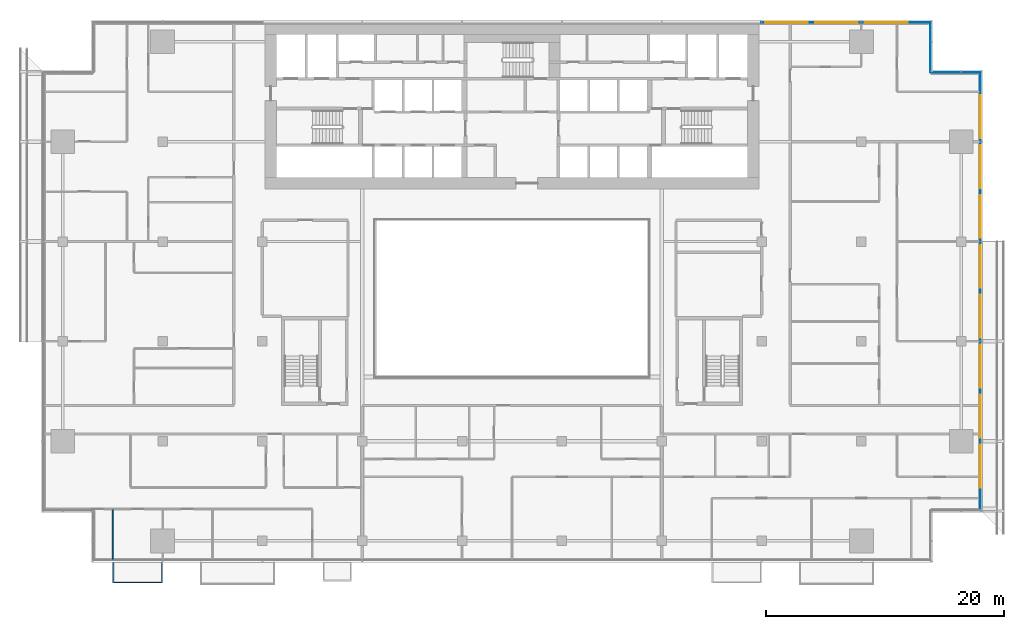
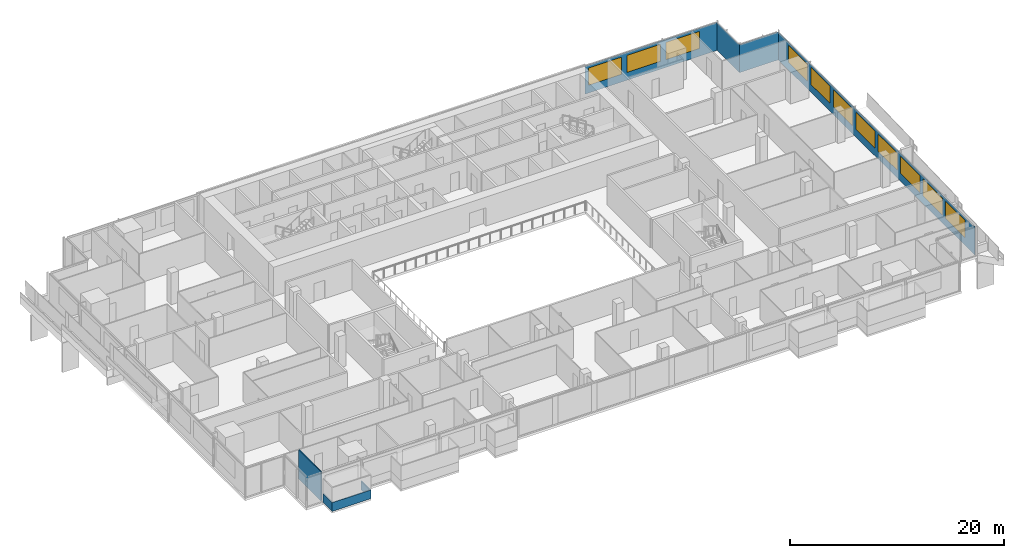
# One storey, part 17 of 27: 11 windows, 4 plates, 2 walls, 11 openings, 4 elements without a shape of their own.
"""IFC4 building model written with IfcOpenShell, lengths in metres."""

from ifc_helpers import new_model, si_unit, direction, frame, frame_2d, origin, place, context, subcontext, project, spatial, polyline, rectangle, outline, extrude, material, layer, layer_set, type_object, element, fill, aggregate, save


model = new_model("IFC4")

# Units and contexts
model_context = context("Model", 3, precision=1e-05, world=origin(), true_north=direction((0.0, 1.0)))
body_context = subcontext(model_context, "Body", "Model", "MODEL_VIEW")
ifc_project = project(units=[si_unit("LENGTHUNIT", "METRE"), si_unit("AREAUNIT", "SQUARE_METRE"), si_unit("VOLUMEUNIT", "CUBIC_METRE"), si_unit("PLANEANGLEUNIT", "RADIAN"), si_unit("MASSUNIT", "GRAM", prefix="KILO")], contexts=[model_context])

# Site, building, storey
site_placement = place(None, origin())
site = spatial("IfcSite", under=ifc_project, at=site_placement, CompositionType="ELEMENT")
building_placement = place(site_placement, origin())
building = spatial("IfcBuilding", under=site, at=building_placement, Name="Saffron Gate Tower", CompositionType="ELEMENT")
storey_placement = place(building_placement, frame((0.0, 0.0, 109.64990234375)))
storey = spatial("IfcBuildingStorey", under=building, at=storey_placement, Name="L25", CompositionType="ELEMENT", Elevation=109.64990234375)

# Curtain wall, plate, openings, windows
ifc_material_1 = material(Name="Aluminium, bronze anodised", Category="aluminium")
curtain_wall_type_1 = type_object("IfcCurtainWallType", Name="CWS2 curtain wall side facades", PredefinedType="NOTDEFINED", material=ifc_material_1)
curtain_wall_1_placement = place(storey_placement, origin())
curtain_wall_1 = element("IfcCurtainWall", 1, at=curtain_wall_1_placement, inside=storey, type_object=curtain_wall_type_1, Name="CWS2 run 4", PredefinedType="NOTDEFINED")
ifc_material_2 = material(Name="Fritted bronze-tinted laminated glass", Category="glass")
ifc_layer_1 = layer(ifc_material_2, 0.028076171875)
ifc_layer_set_1 = layer_set([ifc_layer_1], Name="CWS2 fixed glass")
plate_type_1 = type_object("IfcPlateType", Name="CWS2 fixed glass", PredefinedType="CURTAIN_PANEL", material=ifc_layer_set_1)
plate_1_placement = place(storey_placement, frame((127.02587890625, 34.387939453125, 0.0), z_axis=(0.0, 0.0, 1.0), x_axis=(0.0, 1.0, 0.0)))
plate_1 = element("IfcPlate", 2, at=plate_1_placement, type_object=plate_type_1, Name="CWS2 glass panel", PredefinedType="CURTAIN_PANEL", context=body_context, shape_type="SweptSolid", body=[
    extrude(rectangle(XDim=36.823974609375, YDim=0.028076171875, at=frame_2d((18.412109375, 0.0))), origin(), (0.0, 0.0, 1.0), 3.2001953125),
])
opening_1_placement = place(plate_1_placement, frame((1.912109375, 0.0, 0.89990234375)))
opening_1 = element("IfcOpeningElement", 3, at=opening_1_placement, cuts=plate_1, Name="Opening W1", PredefinedType="OPENING", context=body_context, shape_type="SweptSolid", body=[
    extrude(rectangle(XDim=3.60009765625, YDim=1.949951171875, at=frame_2d((1.800048828125, 0.97509765625))), frame((0.0, 0.02392578125, 0.0), z_axis=(0.0, -1.0, 0.0), x_axis=(1.0, 0.0, 0.0)), (0.0, 0.0, 1.0), 0.048095703125),
])
opening_2_placement = place(plate_1_placement, frame((6.112060546875, 0.0, 0.89990234375)))
opening_2 = element("IfcOpeningElement", 4, at=opening_2_placement, cuts=plate_1, Name="Opening W1", PredefinedType="OPENING", context=body_context, shape_type="SweptSolid", body=[
    extrude(rectangle(XDim=3.60009765625, YDim=1.949951171875, at=frame_2d((1.800048828125, 0.97509765625))), frame((0.0, 0.02392578125, 0.0), z_axis=(0.0, -1.0, 0.0), x_axis=(1.0, 0.0, 0.0)), (0.0, 0.0, 1.0), 0.048095703125),
])
opening_3_placement = place(plate_1_placement, frame((10.31201171875, 0.0, 0.89990234375)))
opening_3 = element("IfcOpeningElement", 5, at=opening_3_placement, cuts=plate_1, Name="Opening W1", PredefinedType="OPENING", context=body_context, shape_type="SweptSolid", body=[
    extrude(rectangle(XDim=3.60009765625, YDim=1.949951171875, at=frame_2d((1.800048828125, 0.97509765625))), frame((0.0, 0.02392578125, 0.0), z_axis=(0.0, -1.0, 0.0), x_axis=(1.0, 0.0, 0.0)), (0.0, 0.0, 1.0), 0.048095703125),
])
opening_4_placement = place(plate_1_placement, frame((14.511962890625, 0.0, 0.89990234375)))
opening_4 = element("IfcOpeningElement", 6, at=opening_4_placement, cuts=plate_1, Name="Opening W1", PredefinedType="OPENING", context=body_context, shape_type="SweptSolid", body=[
    extrude(rectangle(XDim=3.60009765625, YDim=1.949951171875, at=frame_2d((1.800048828125, 0.97509765625))), frame((0.0, 0.02392578125, 0.0), z_axis=(0.0, -1.0, 0.0), x_axis=(1.0, 0.0, 0.0)), (0.0, 0.0, 1.0), 0.048095703125),
])
opening_5_placement = place(plate_1_placement, frame((18.7119140625, 0.0, 0.89990234375)))
opening_5 = element("IfcOpeningElement", 7, at=opening_5_placement, cuts=plate_1, Name="Opening W1", PredefinedType="OPENING", context=body_context, shape_type="SweptSolid", body=[
    extrude(rectangle(XDim=3.60009765625, YDim=1.949951171875, at=frame_2d((1.800048828125, 0.97509765625))), frame((0.0, 0.02392578125, 0.0), z_axis=(0.0, -1.0, 0.0), x_axis=(1.0, 0.0, 0.0)), (0.0, 0.0, 1.0), 0.048095703125),
])
opening_6_placement = place(plate_1_placement, frame((22.912109375, 0.0, 0.89990234375)))
opening_6 = element("IfcOpeningElement", 8, at=opening_6_placement, cuts=plate_1, Name="Opening W1", PredefinedType="OPENING", context=body_context, shape_type="SweptSolid", body=[
    extrude(rectangle(XDim=3.60009765625, YDim=1.949951171875, at=frame_2d((1.800048828125, 0.97509765625))), frame((0.0, 0.02392578125, 0.0), z_axis=(0.0, -1.0, 0.0), x_axis=(1.0, 0.0, 0.0)), (0.0, 0.0, 1.0), 0.048095703125),
])
opening_7_placement = place(plate_1_placement, frame((27.112060546875, 0.0, 0.89990234375)))
opening_7 = element("IfcOpeningElement", 9, at=opening_7_placement, cuts=plate_1, Name="Opening W1", PredefinedType="OPENING", context=body_context, shape_type="SweptSolid", body=[
    extrude(rectangle(XDim=3.60009765625, YDim=1.949951171875, at=frame_2d((1.800048828125, 0.97509765625))), frame((0.0, 0.02392578125, 0.0), z_axis=(0.0, -1.0, 0.0), x_axis=(1.0, 0.0, 0.0)), (0.0, 0.0, 1.0), 0.048095703125),
])
opening_8_placement = place(plate_1_placement, frame((31.31201171875, 0.0, 0.89990234375)))
opening_8 = element("IfcOpeningElement", 10, at=opening_8_placement, cuts=plate_1, Name="Opening W1", PredefinedType="OPENING", context=body_context, shape_type="SweptSolid", body=[
    extrude(rectangle(XDim=3.60009765625, YDim=1.949951171875, at=frame_2d((1.800048828125, 0.97509765625))), frame((0.0, 0.02392578125, 0.0), z_axis=(0.0, -1.0, 0.0), x_axis=(1.0, 0.0, 0.0)), (0.0, 0.0, 1.0), 0.048095703125),
])
ifc_material_3 = material(Name="Fritted bronze-tinted laminated glass in bronze frame", Category="glass")
ifc_layer_2 = layer(ifc_material_3, 0.06005859375)
ifc_layer_set_2 = layer_set([ifc_layer_2], Name="W1 operable panel 3600x1950")
window_type = type_object("IfcWindowType", Name="W1 operable panel 3600x1950", PartitioningType="DOUBLE_PANEL_HORIZONTAL", PredefinedType="WINDOW", material=ifc_layer_set_2)
window_1_placement = place(opening_1_placement, origin())
window_1 = element("IfcWindow", 11, at=window_1_placement, type_object=window_type, Name="W1 operable panel", OverallHeight=1.949951171875, OverallWidth=3.60009765625, PartitioningType="SINGLE_PANEL", PredefinedType="WINDOW", context=body_context, shape_type="SweptSolid", body=[
    extrude(rectangle(XDim=3.60009765625, YDim=1.949951171875, at=frame_2d((1.800048828125, 0.97509765625))), frame((0.0, 0.013671875, 0.0), z_axis=(0.0, -1.0, 0.0), x_axis=(1.0, 0.0, 0.0)), (0.0, 0.0, 1.0), 0.027587890625),
])
fill(opening_1, window_1)
window_2_placement = place(opening_2_placement, origin())
window_2 = element("IfcWindow", 12, at=window_2_placement, type_object=window_type, Name="W1 operable panel", OverallHeight=1.949951171875, OverallWidth=3.60009765625, PartitioningType="SINGLE_PANEL", PredefinedType="WINDOW", context=body_context, shape_type="SweptSolid", body=[
    extrude(rectangle(XDim=3.60009765625, YDim=1.949951171875, at=frame_2d((1.800048828125, 0.97509765625))), frame((0.0, 0.013671875, 0.0), z_axis=(0.0, -1.0, 0.0), x_axis=(1.0, 0.0, 0.0)), (0.0, 0.0, 1.0), 0.027587890625),
])
fill(opening_2, window_2)
window_3_placement = place(opening_3_placement, origin())
window_3 = element("IfcWindow", 13, at=window_3_placement, type_object=window_type, Name="W1 operable panel", OverallHeight=1.949951171875, OverallWidth=3.60009765625, PartitioningType="SINGLE_PANEL", PredefinedType="WINDOW", context=body_context, shape_type="SweptSolid", body=[
    extrude(rectangle(XDim=3.60009765625, YDim=1.949951171875, at=frame_2d((1.800048828125, 0.97509765625))), frame((0.0, 0.013671875, 0.0), z_axis=(0.0, -1.0, 0.0), x_axis=(1.0, 0.0, 0.0)), (0.0, 0.0, 1.0), 0.027587890625),
])
fill(opening_3, window_3)
window_4_placement = place(opening_4_placement, origin())
window_4 = element("IfcWindow", 14, at=window_4_placement, type_object=window_type, Name="W1 operable panel", OverallHeight=1.949951171875, OverallWidth=3.60009765625, PartitioningType="SINGLE_PANEL", PredefinedType="WINDOW", context=body_context, shape_type="SweptSolid", body=[
    extrude(rectangle(XDim=3.60009765625, YDim=1.949951171875, at=frame_2d((1.800048828125, 0.97509765625))), frame((0.0, 0.013671875, 0.0), z_axis=(0.0, -1.0, 0.0), x_axis=(1.0, 0.0, 0.0)), (0.0, 0.0, 1.0), 0.027587890625),
])
fill(opening_4, window_4)
window_5_placement = place(opening_5_placement, origin())
window_5 = element("IfcWindow", 15, at=window_5_placement, type_object=window_type, Name="W1 operable panel", OverallHeight=1.949951171875, OverallWidth=3.60009765625, PartitioningType="SINGLE_PANEL", PredefinedType="WINDOW", context=body_context, shape_type="SweptSolid", body=[
    extrude(rectangle(XDim=3.60009765625, YDim=1.949951171875, at=frame_2d((1.800048828125, 0.97509765625))), frame((0.0, 0.013671875, 0.0), z_axis=(0.0, -1.0, 0.0), x_axis=(1.0, 0.0, 0.0)), (0.0, 0.0, 1.0), 0.027587890625),
])
fill(opening_5, window_5)
window_6_placement = place(opening_6_placement, origin())
window_6 = element("IfcWindow", 16, at=window_6_placement, type_object=window_type, Name="W1 operable panel", OverallHeight=1.949951171875, OverallWidth=3.60009765625, PartitioningType="SINGLE_PANEL", PredefinedType="WINDOW", context=body_context, shape_type="SweptSolid", body=[
    extrude(rectangle(XDim=3.60009765625, YDim=1.949951171875, at=frame_2d((1.800048828125, 0.97509765625))), frame((0.0, 0.013671875, 0.0), z_axis=(0.0, -1.0, 0.0), x_axis=(1.0, 0.0, 0.0)), (0.0, 0.0, 1.0), 0.027587890625),
])
fill(opening_6, window_6)
window_7_placement = place(opening_7_placement, origin())
window_7 = element("IfcWindow", 17, at=window_7_placement, type_object=window_type, Name="W1 operable panel", OverallHeight=1.949951171875, OverallWidth=3.60009765625, PartitioningType="SINGLE_PANEL", PredefinedType="WINDOW", context=body_context, shape_type="SweptSolid", body=[
    extrude(rectangle(XDim=3.60009765625, YDim=1.949951171875, at=frame_2d((1.800048828125, 0.97509765625))), frame((0.0, 0.013671875, 0.0), z_axis=(0.0, -1.0, 0.0), x_axis=(1.0, 0.0, 0.0)), (0.0, 0.0, 1.0), 0.027587890625),
])
fill(opening_7, window_7)
window_8_placement = place(opening_8_placement, origin())
window_8 = element("IfcWindow", 18, at=window_8_placement, type_object=window_type, Name="W1 operable panel", OverallHeight=1.949951171875, OverallWidth=3.60009765625, PartitioningType="SINGLE_PANEL", PredefinedType="WINDOW", context=body_context, shape_type="SweptSolid", body=[
    extrude(rectangle(XDim=3.60009765625, YDim=1.949951171875, at=frame_2d((1.800048828125, 0.97509765625))), frame((0.0, 0.013671875, 0.0), z_axis=(0.0, -1.0, 0.0), x_axis=(1.0, 0.0, 0.0)), (0.0, 0.0, 1.0), 0.027587890625),
])
fill(opening_8, window_8)
aggregate(curtain_wall_1, [plate_1, window_1, window_2, window_3, window_4, window_5, window_6, window_7, window_8])

curtain_wall_type_2 = type_object("IfcCurtainWallType", Name="CWS3 curtain wall rear facade", PredefinedType="NOTDEFINED", material=ifc_material_1)
curtain_wall_2_placement = place(storey_placement, origin())
curtain_wall_2 = element("IfcCurtainWall", 19, at=curtain_wall_2_placement, inside=storey, type_object=curtain_wall_type_2, Name="CWS3 run 7", PredefinedType="NOTDEFINED")
ifc_material_4 = material(Name="Fritted grey-tinted laminated glass", Category="glass")
ifc_layer_3 = layer(ifc_material_4, 0.028076171875)
ifc_layer_set_3 = layer_set([ifc_layer_3], Name="CWS3 fixed glass")
plate_type_2 = type_object("IfcPlateType", Name="CWS3 fixed glass", PredefinedType="CURTAIN_PANEL", material=ifc_layer_set_3)
plate_2_placement = place(storey_placement, frame((122.81201171875, 75.426025390625, 0.0), z_axis=(0.0, 0.0, 1.0), x_axis=(-1.0, 0.0, 0.0)))
plate_2 = element("IfcPlate", 20, at=plate_2_placement, type_object=plate_type_2, Name="CWS3 glass panel", PredefinedType="CURTAIN_PANEL", context=body_context, shape_type="SweptSolid", body=[
    extrude(rectangle(XDim=14.2470703125, YDim=0.028076171875, at=frame_2d((7.12353515625, 0.0))), origin(), (0.0, 0.0, 1.0), 3.2001953125),
])
opening_9_placement = place(plate_2_placement, frame((1.912109375, 0.0, 0.89990234375)))
opening_9 = element("IfcOpeningElement", 21, at=opening_9_placement, cuts=plate_2, Name="Opening W1", PredefinedType="OPENING", context=body_context, shape_type="SweptSolid", body=[
    extrude(rectangle(XDim=3.60009765625, YDim=1.949951171875, at=frame_2d((1.800048828125, 0.97509765625))), frame((0.0, 0.02392578125, 0.0), z_axis=(0.0, -1.0, 0.0), x_axis=(1.0, 0.0, 0.0)), (0.0, 0.0, 1.0), 0.048095703125),
])
opening_10_placement = place(plate_2_placement, frame((6.112060546875, 0.0, 0.89990234375)))
opening_10 = element("IfcOpeningElement", 22, at=opening_10_placement, cuts=plate_2, Name="Opening W1", PredefinedType="OPENING", context=body_context, shape_type="SweptSolid", body=[
    extrude(rectangle(XDim=3.60009765625, YDim=1.949951171875, at=frame_2d((1.800048828125, 0.97509765625))), frame((0.0, 0.02392578125, 0.0), z_axis=(0.0, -1.0, 0.0), x_axis=(1.0, 0.0, 0.0)), (0.0, 0.0, 1.0), 0.048095703125),
])
opening_11_placement = place(plate_2_placement, frame((10.31201171875, 0.0, 0.89990234375)))
opening_11 = element("IfcOpeningElement", 23, at=opening_11_placement, cuts=plate_2, Name="Opening W1", PredefinedType="OPENING", context=body_context, shape_type="SweptSolid", body=[
    extrude(rectangle(XDim=3.60009765625, YDim=1.949951171875, at=frame_2d((1.800048828125, 0.97509765625))), frame((0.0, 0.02392578125, 0.0), z_axis=(0.0, -1.0, 0.0), x_axis=(1.0, 0.0, 0.0)), (0.0, 0.0, 1.0), 0.048095703125),
])
window_9_placement = place(opening_9_placement, origin())
window_9 = element("IfcWindow", 24, at=window_9_placement, type_object=window_type, Name="W1 operable panel", OverallHeight=1.949951171875, OverallWidth=3.60009765625, PartitioningType="SINGLE_PANEL", PredefinedType="WINDOW", context=body_context, shape_type="SweptSolid", body=[
    extrude(rectangle(XDim=3.60009765625, YDim=1.949951171875, at=frame_2d((1.800048828125, 0.97509765625))), frame((0.0, 0.013671875, 0.0), z_axis=(0.0, -1.0, 0.0), x_axis=(1.0, 0.0, 0.0)), (0.0, 0.0, 1.0), 0.027587890625),
])
fill(opening_9, window_9)
window_10_placement = place(opening_10_placement, origin())
window_10 = element("IfcWindow", 25, at=window_10_placement, type_object=window_type, Name="W1 operable panel", OverallHeight=1.949951171875, OverallWidth=3.60009765625, PartitioningType="SINGLE_PANEL", PredefinedType="WINDOW", context=body_context, shape_type="SweptSolid", body=[
    extrude(rectangle(XDim=3.60009765625, YDim=1.949951171875, at=frame_2d((1.800048828125, 0.97509765625))), frame((0.0, 0.013671875, 0.0), z_axis=(0.0, -1.0, 0.0), x_axis=(1.0, 0.0, 0.0)), (0.0, 0.0, 1.0), 0.027587890625),
])
fill(opening_10, window_10)
window_11_placement = place(opening_11_placement, origin())
window_11 = element("IfcWindow", 26, at=window_11_placement, type_object=window_type, Name="W1 operable panel", OverallHeight=1.949951171875, OverallWidth=3.60009765625, PartitioningType="SINGLE_PANEL", PredefinedType="WINDOW", context=body_context, shape_type="SweptSolid", body=[
    extrude(rectangle(XDim=3.60009765625, YDim=1.949951171875, at=frame_2d((1.800048828125, 0.97509765625))), frame((0.0, 0.013671875, 0.0), z_axis=(0.0, -1.0, 0.0), x_axis=(1.0, 0.0, 0.0)), (0.0, 0.0, 1.0), 0.027587890625),
])
fill(opening_11, window_11)
aggregate(curtain_wall_2, [plate_2, window_9, window_10, window_11])

# Curtain wall, plate
curtain_wall_type_3 = type_object("IfcCurtainWallType", Name="CWS4 curtain wall corner returns", PredefinedType="NOTDEFINED", material=ifc_material_1)
curtain_wall_3_placement = place(storey_placement, origin())
curtain_wall_3 = element("IfcCurtainWall", 27, at=curtain_wall_3_placement, inside=storey, type_object=curtain_wall_type_3, Name="CWS4 run 5", PredefinedType="NOTDEFINED")
ifc_layer_4 = layer(ifc_material_2, 0.028076171875)
ifc_layer_set_4 = layer_set([ifc_layer_4], Name="CWS4 fixed glass")
plate_type_3 = type_object("IfcPlateType", Name="CWS4 fixed glass", PredefinedType="CURTAIN_PANEL", material=ifc_layer_set_4)
plate_3_placement = place(storey_placement, frame((127.011962890625, 71.22607421875, 0.0), z_axis=(0.0, 0.0, 1.0), x_axis=(-1.0, 0.0, 0.0)))
plate_3 = element("IfcPlate", 28, at=plate_3_placement, type_object=plate_type_3, Name="CWS4 glass panel", PredefinedType="CURTAIN_PANEL", context=body_context, shape_type="SweptSolid", body=[
    extrude(rectangle(XDim=4.171875, YDim=0.028076171875, at=frame_2d((2.0859375, 0.0))), origin(), (0.0, 0.0, 1.0), 3.2001953125),
])
aggregate(curtain_wall_3, [plate_3])

curtain_wall_4_placement = place(storey_placement, origin())
curtain_wall_4 = element("IfcCurtainWall", 29, at=curtain_wall_4_placement, inside=storey, type_object=curtain_wall_type_3, Name="CWS4 run 6", PredefinedType="NOTDEFINED")
plate_4_placement = place(storey_placement, frame((122.825927734375, 71.239990234375, 0.0), z_axis=(0.0, 0.0, 1.0), x_axis=(0.0, 1.0, 0.0)))
plate_4 = element("IfcPlate", 30, at=plate_4_placement, type_object=plate_type_3, Name="CWS4 glass panel", PredefinedType="CURTAIN_PANEL", context=body_context, shape_type="SweptSolid", body=[
    extrude(rectangle(XDim=4.172119140625, YDim=0.028076171875, at=frame_2d((2.0859375, 0.0))), origin(), (0.0, 0.0, 1.0), 3.2001953125),
])
aggregate(curtain_wall_4, [plate_4])

# Walls
ifc_material_5 = material(Name="Plasterboard on steel studs", Category="steel")
ifc_layer_5 = layer(ifc_material_5, 0.10009765625)
ifc_layer_set_5 = layer_set([ifc_layer_5], Name="PW1 Partition 100")
wall_type_1 = type_object("IfcWallType", Name="PW1 Partition 100", PredefinedType="PARTITIONING", material=ifc_layer_set_5)
wall_1_placement = place(storey_placement, frame((54.0, 34.449951171875, 0.0), z_axis=(0.0, 0.0, 1.0), x_axis=(0.0, -1.0, 0.0)))
element("IfcWall", 31, at=wall_1_placement, inside=storey, type_object=wall_type_1, Name="Partition B2-50", PredefinedType="PARTITIONING", context=body_context, shape_type="SweptSolid", body=[
    extrude(rectangle(XDim=4.169921875, YDim=0.10009765625, at=frame_2d((2.0849609375, 0.0))), origin(), (0.0, 0.0, 1.0), 3.320068359375),
])
ifc_material_6 = material(Name="Rendered insulated panel, white")
ifc_layer_6 = layer(ifc_material_6, 0.10009765625)
ifc_layer_set_6 = layer_set([ifc_layer_6], Name="WB3 box parapet white")
wall_type_2 = type_object("IfcWallType", Name="WB3 box parapet white", PredefinedType="SOLIDWALL", material=ifc_layer_set_6)
wall_2_placement = place(storey_placement, origin())
element("IfcWall", 32, at=wall_2_placement, inside=storey, type_object=wall_type_2, Name="WINDOW BOX parapet", PredefinedType="SOLIDWALL", context=body_context, shape_type="SweptSolid", body=[
    extrude(outline(polyline([(54.0, 30.0), (54.10009765625, 30.0), (54.10009765625, 28.366943359375), (58.10009765625, 28.366943359375), (58.10009765625, 30.0), (58.199951171875, 30.0), (58.199951171875, 28.26708984375), (54.0, 28.26708984375), (54.0, 30.0)])), origin(), (0.0, 0.0, 1.0), 1.0),
])

save(model, "model.ifc")
